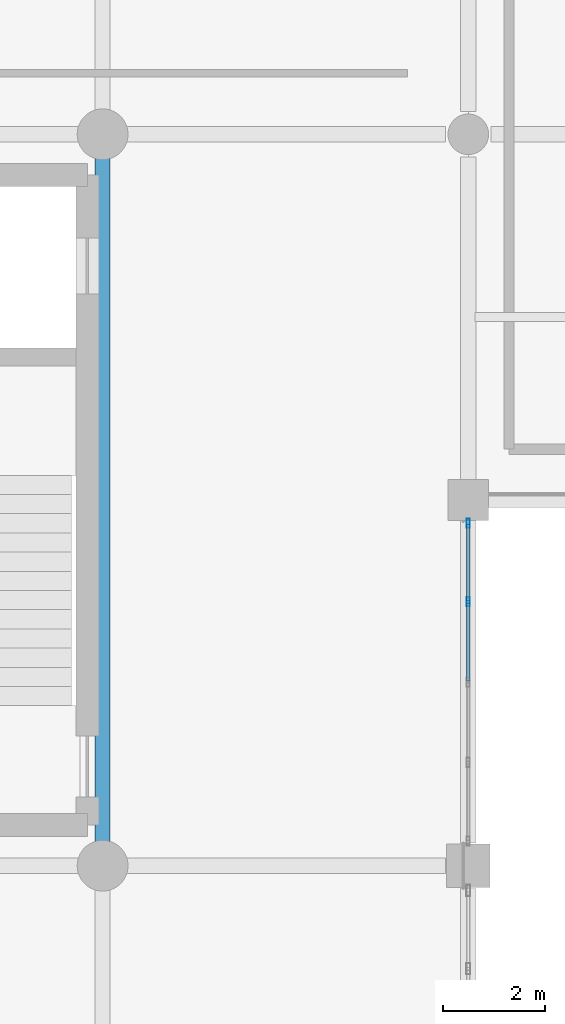
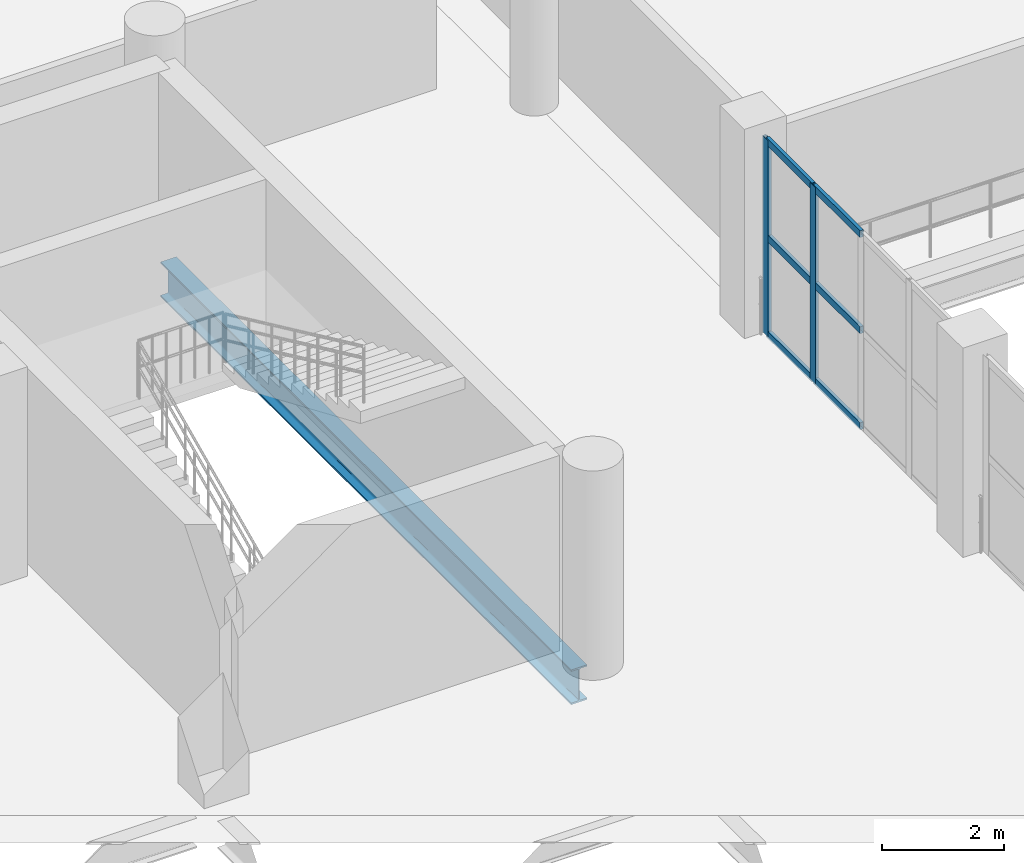
# One storey, part 38 of 153: 8 members, 1 beam, 1 element without a shape of its own.
"""IFC4 building model written with IfcOpenShell, lengths in metres."""

from ifc_helpers import new_model, si_unit, direction, frame, origin, origin_2d, place, context, subcontext, project, spatial, hollow_rectangle, i_section, extrude, material, material_profile, profile_set, type_object, element, aggregate, save


model = new_model("IFC4")

# Units and contexts
model_context = context("Model", 3, precision=1e-05, world=origin(), true_north=direction((0.0, 1.0)))
body_context = subcontext(model_context, "Body", "Model", "MODEL_VIEW")
ifc_project = project(units=[si_unit("LENGTHUNIT", "METRE"), si_unit("AREAUNIT", "SQUARE_METRE"), si_unit("VOLUMEUNIT", "CUBIC_METRE"), si_unit("PLANEANGLEUNIT", "RADIAN"), si_unit("MASSUNIT", "GRAM", prefix="KILO")], contexts=[model_context])

# Site, building, storey
site_placement = place(None, origin())
site = spatial("IfcSite", under=ifc_project, at=site_placement, CompositionType="ELEMENT")
building_placement = place(site_placement, origin())
building = spatial("IfcBuilding", under=site, at=building_placement, Name="Qandorah Velis Arena", CompositionType="ELEMENT")
storey_placement = place(building_placement, frame((0.0, 0.0, 5.39990234375)))
storey = spatial("IfcBuildingStorey", under=building, at=storey_placement, Name="L01", CompositionType="ELEMENT", Elevation=5.39990234375)

# Curtain wall, members
ifc_material_1 = material(Name="Solar-control low-E double glazing", Category="glass")
curtain_wall_type = type_object("IfcCurtainWallType", Name="ARC-CW-SYS22", PredefinedType="USERDEFINED", material=ifc_material_1)
curtain_wall_placement = place(storey_placement, origin())
curtain_wall = element("IfcCurtainWall", 1, at=curtain_wall_placement, inside=storey, type_object=curtain_wall_type, Name="Unitised curtain wall L01-166", ObjectType="UNITISED CURTAIN WALL", PredefinedType="USERDEFINED")
ifc_material_2 = material(Name="Champagne-bronze anodized aluminium 6063-T6", Category="aluminium")
ifc_material_profile_1 = material_profile(ifc_material_2, hollow_rectangle(XDim=0.06494140625, YDim=0.179931640625, WallThickness=0.00341796875, at=origin_2d()), Name="ALU MULLION 65x180")
ifc_profile_set_1 = profile_set([ifc_material_profile_1], Name="Champagne-bronze anodized aluminium 6063-T6")
member_type_1 = type_object("IfcMemberType", Name="ARC-CWM-180", PredefinedType="MULLION", material=ifc_profile_set_1)
member_1_placement = place(storey_placement, frame((122.39990234375, 41.19384765625, -0.014892578125), z_axis=(0.0, 0.0, 1.0), x_axis=(-1.0, 0.0, 0.0)))
member_1 = element("IfcMember", 2, at=member_1_placement, type_object=member_type_1, Name="CW22 mullion 4", PredefinedType="MULLION", context=body_context, shape_type="SweptSolid", body=[
    extrude(hollow_rectangle(XDim=0.06494140625, YDim=0.179931640625, WallThickness=0.00341796875, at=origin_2d()), origin(), (0.0, 0.0, 1.0), 3.949951171875),
])
member_2_placement = place(storey_placement, frame((122.39990234375, 42.742431640625, -0.014892578125), z_axis=(0.0, 0.0, 1.0), x_axis=(-1.0, 0.0, 0.0)))
member_2 = element("IfcMember", 3, at=member_2_placement, type_object=member_type_1, Name="CW22 mullion 5", PredefinedType="MULLION", context=body_context, shape_type="SweptSolid", body=[
    extrude(hollow_rectangle(XDim=0.06494140625, YDim=0.179931640625, WallThickness=0.00341796875, at=origin_2d()), origin(), (0.0, 0.0, 1.0), 3.949951171875),
])
ifc_material_profile_2 = material_profile(ifc_material_2, hollow_rectangle(XDim=0.06494140625, YDim=0.139892578125, WallThickness=0.0029296875, at=origin_2d()), Name="ALU TRANSOM 65x140")
ifc_profile_set_2 = profile_set([ifc_material_profile_2], Name="Champagne-bronze anodized aluminium 6063-T6")
member_type_2 = type_object("IfcMemberType", Name="ARC-CWT-140", PredefinedType="USERDEFINED", material=ifc_profile_set_2)
member_3_placement = place(storey_placement, frame((122.39990234375, 39.633056640625, 0.03271484375), z_axis=(0.0, 1.0, 0.0), x_axis=(-1.0, 0.0, 0.0)))
member_3 = element("IfcMember", 4, at=member_3_placement, type_object=member_type_2, Name="CW22 transom 3.1", ObjectType="TRANSOM", PredefinedType="USERDEFINED", context=body_context, shape_type="SweptSolid", body=[
    extrude(hollow_rectangle(XDim=0.06494140625, YDim=0.139892578125, WallThickness=0.0029296875, at=origin_2d()), origin(), (0.0, 0.0, 1.0), 1.540283203125),
])
member_4_placement = place(storey_placement, frame((122.39990234375, 39.633056640625, 1.960205078125), z_axis=(0.0, 1.0, 0.0), x_axis=(-1.0, 0.0, 0.0)))
member_4 = element("IfcMember", 5, at=member_4_placement, type_object=member_type_2, Name="CW22 transom 3.2", ObjectType="TRANSOM", PredefinedType="USERDEFINED", context=body_context, shape_type="SweptSolid", body=[
    extrude(hollow_rectangle(XDim=0.06494140625, YDim=0.139892578125, WallThickness=0.0029296875, at=origin_2d()), origin(), (0.0, 0.0, 1.0), 1.540283203125),
])
member_5_placement = place(storey_placement, frame((122.39990234375, 39.633056640625, 3.8876953125), z_axis=(0.0, 1.0, 0.0), x_axis=(-1.0, 0.0, 0.0)))
member_5 = element("IfcMember", 6, at=member_5_placement, type_object=member_type_2, Name="CW22 transom 3.3", ObjectType="TRANSOM", PredefinedType="USERDEFINED", context=body_context, shape_type="SweptSolid", body=[
    extrude(hollow_rectangle(XDim=0.06494140625, YDim=0.139892578125, WallThickness=0.0029296875, at=origin_2d()), origin(), (0.0, 0.0, 1.0), 1.540283203125),
])
member_6_placement = place(storey_placement, frame((122.39990234375, 41.214111328125, 0.03271484375), z_axis=(0.0, 1.0, 0.0), x_axis=(-1.0, 0.0, 0.0)))
member_6 = element("IfcMember", 7, at=member_6_placement, type_object=member_type_2, Name="CW22 transom 4.1", ObjectType="TRANSOM", PredefinedType="USERDEFINED", context=body_context, shape_type="SweptSolid", body=[
    extrude(hollow_rectangle(XDim=0.06494140625, YDim=0.139892578125, WallThickness=0.0029296875, at=origin_2d()), origin(), (0.0, 0.0, 1.0), 1.5078125),
])
member_7_placement = place(storey_placement, frame((122.39990234375, 41.214111328125, 1.960205078125), z_axis=(0.0, 1.0, 0.0), x_axis=(-1.0, 0.0, 0.0)))
member_7 = element("IfcMember", 8, at=member_7_placement, type_object=member_type_2, Name="CW22 transom 4.2", ObjectType="TRANSOM", PredefinedType="USERDEFINED", context=body_context, shape_type="SweptSolid", body=[
    extrude(hollow_rectangle(XDim=0.06494140625, YDim=0.139892578125, WallThickness=0.0029296875, at=origin_2d()), origin(), (0.0, 0.0, 1.0), 1.5078125),
])
member_8_placement = place(storey_placement, frame((122.39990234375, 41.214111328125, 3.8876953125), z_axis=(0.0, 1.0, 0.0), x_axis=(-1.0, 0.0, 0.0)))
member_8 = element("IfcMember", 9, at=member_8_placement, type_object=member_type_2, Name="CW22 transom 4.3", ObjectType="TRANSOM", PredefinedType="USERDEFINED", context=body_context, shape_type="SweptSolid", body=[
    extrude(hollow_rectangle(XDim=0.06494140625, YDim=0.139892578125, WallThickness=0.0029296875, at=origin_2d()), origin(), (0.0, 0.0, 1.0), 1.5078125),
])
aggregate(curtain_wall, [member_1, member_2, member_3, member_4, member_5, member_6, member_7, member_8])

# Beam
ifc_material_3 = material(Name="Steel S355", Category="steel")
ifc_material_profile_3 = material_profile(ifc_material_3, i_section(OverallWidth=0.300048828125, OverallDepth=0.699951171875, WebThickness=0.01708984375, FlangeThickness=0.031982421875, FilletRadius=0.027099609375, at=origin_2d()), Name="HEB 700")
ifc_profile_set_3 = profile_set([ifc_material_profile_3], Name="Steel S355")
beam_type = type_object("IfcBeamType", Name="STR-BM-HEB700", PredefinedType="BEAM", material=ifc_profile_set_3)
beam_placement = place(storey_placement, frame((115.199951171875, 36.449951171875, -0.7099609375), z_axis=(0.0, 1.0, 0.0), x_axis=(-1.0, 0.0, 0.0)))
element("IfcBeam", 10, at=beam_placement, inside=storey, type_object=beam_type, Name="Primary floor girder L01 Y-382", PredefinedType="BEAM", context=body_context, shape_type="SweptSolid", body=[
    extrude(i_section(OverallWidth=0.300048828125, OverallDepth=0.699951171875, WebThickness=0.01708984375, FlangeThickness=0.031982421875, FilletRadius=0.027099609375, at=origin_2d()), origin(), (0.0, 0.0, 1.0), 13.5),
])

save(model, "model.ifc")
